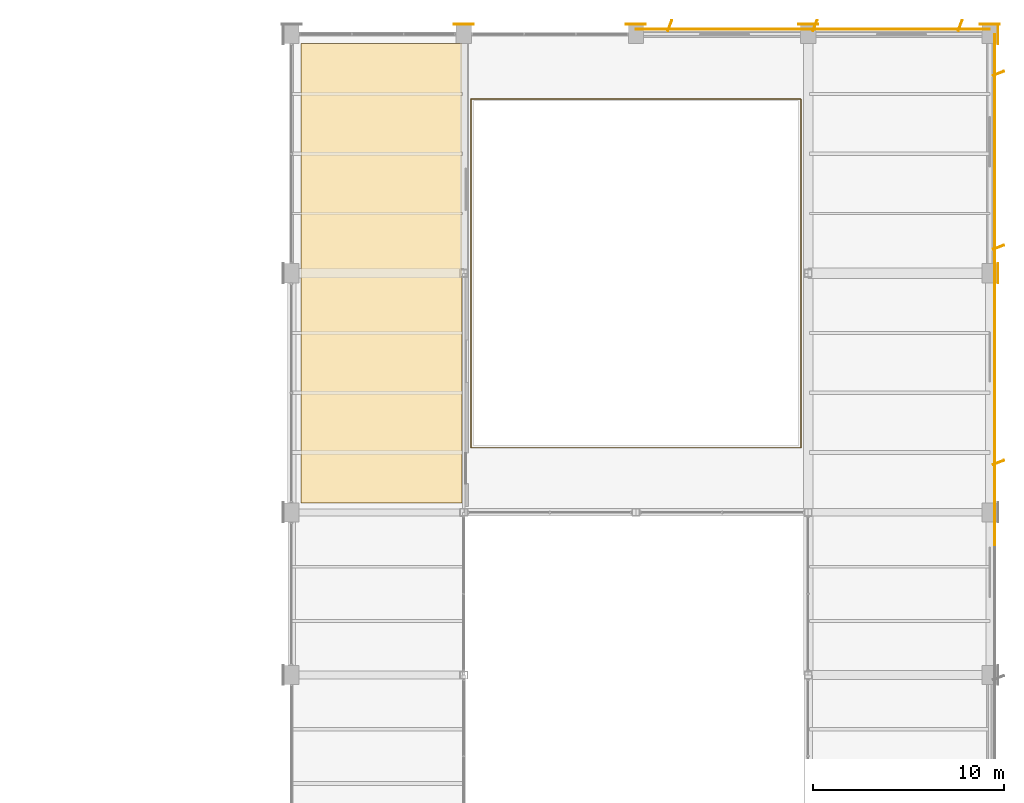
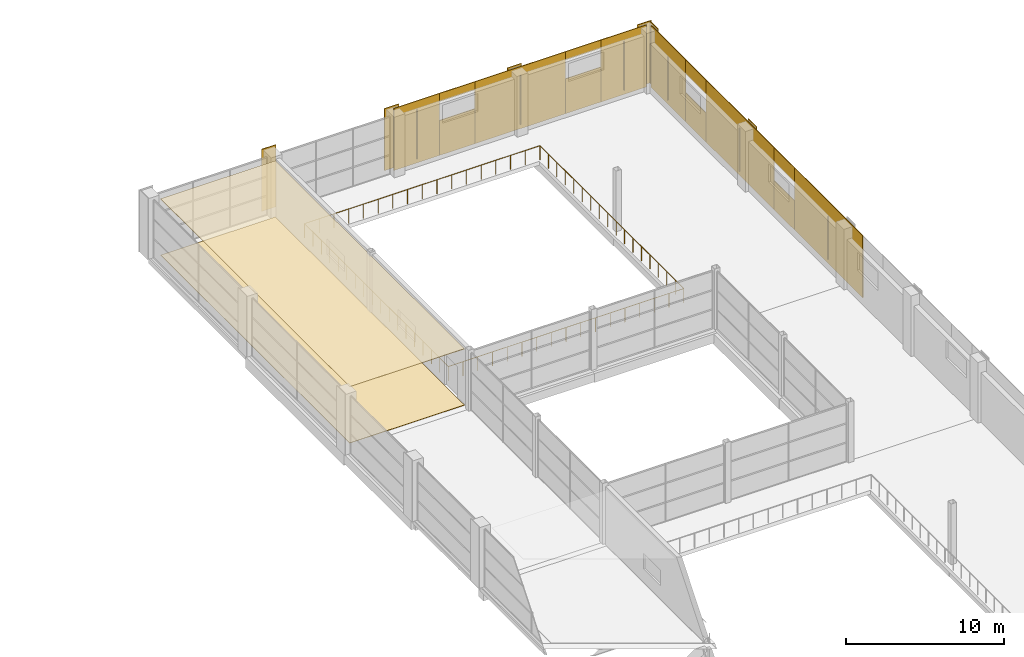
# One storey, part 112 of 112: 28 coverings, 1 railing.
"""IFC4 building model written with IfcOpenShell, lengths in metres."""

from ifc_helpers import new_model, si_unit, direction, frame, origin, origin_2d, place, context, subcontext, project, spatial, polyline, rectangle, circle, outline, extrude, material, layer, layer_set, type_object, element, save


model = new_model("IFC4")

# Units and contexts
model_context = context("Model", 3, precision=1e-05, world=origin(), true_north=direction((0.0, 1.0)))
body_context = subcontext(model_context, "Body", "Model", "MODEL_VIEW")
ifc_project = project(units=[si_unit("LENGTHUNIT", "METRE"), si_unit("AREAUNIT", "SQUARE_METRE"), si_unit("VOLUMEUNIT", "CUBIC_METRE"), si_unit("PLANEANGLEUNIT", "RADIAN"), si_unit("MASSUNIT", "GRAM", prefix="KILO")], contexts=[model_context])

# Site, building, storey
site_placement = place(None, origin())
site = spatial("IfcSite", under=ifc_project, at=site_placement, CompositionType="ELEMENT")
building_placement = place(site_placement, origin())
building = spatial("IfcBuilding", under=site, at=building_placement, Name="Solvikara Media Centre", CompositionType="ELEMENT")
storey_placement = place(building_placement, frame((0.0, 0.0, 5.39990234375)))
storey = spatial("IfcBuildingStorey", under=building, at=storey_placement, Name="L01", CompositionType="ELEMENT", Elevation=5.39990234375)

# Coverings
ifc_material_1 = material(Name="Perforated acoustic gypsum ceiling board")
ifc_layer_1 = layer(ifc_material_1, 0.0400390625)
ifc_layer_set_1 = layer_set([ifc_layer_1], Name="Perforated acoustic gypsum ceiling board")
covering_type_1 = type_object("IfcCoveringType", Name="CV-01", PredefinedType="CEILING", material=ifc_layer_set_1)
covering_1_placement = place(storey_placement, frame((0.0, 0.0, 4.35009765625)))
element("IfcCovering", 1, at=covering_1_placement, inside=storey, type_object=covering_type_1, Name="CLG-029", PredefinedType="CEILING", context=body_context, shape_type="SweptSolid", body=[
    extrude(outline(polyline([(128.0, 89.5), (136.39990234375, 89.5), (136.39990234375, 113.5), (128.0, 113.5), (128.0, 89.5)])), origin(), (0.0, 0.0, 1.0), 0.0400390625),
])
ifc_material_2 = material(Name="Polished terrazzo floor finish")
ifc_layer_2 = layer(ifc_material_2, 0.030029296875)
ifc_layer_set_2 = layer_set([ifc_layer_2], Name="Polished terrazzo floor finish")
covering_type_2 = type_object("IfcCoveringType", Name="CV-02", PredefinedType="FLOORING", material=ifc_layer_set_2)
covering_2_placement = place(storey_placement, origin())
element("IfcCovering", 2, at=covering_2_placement, inside=storey, type_object=covering_type_2, Name="FLR-029", PredefinedType="FLOORING", context=body_context, shape_type="SweptSolid", body=[
    extrude(outline(polyline([(128.0, 89.5), (136.39990234375, 89.5), (136.39990234375, 113.5), (128.0, 113.5), (128.0, 89.5)])), origin(), (0.0, 0.0, 1.0), 0.030029296875),
])
ifc_material_3 = material(Name="GFRC white mineral architectural rainscreen panel")
ifc_layer_3 = layer(ifc_material_3, 0.050048828125)
ifc_layer_set_3 = layer_set([ifc_layer_3], Name="GFRC white mineral architectural rainscreen panel")
covering_type_3 = type_object("IfcCoveringType", Name="CV-04", PredefinedType="CLADDING", material=ifc_layer_set_3)
for number, where, z_axis, x_axis, name in (
    (3, (136.5, 114.52490234375, 0.0), (0.0, 0.0, 1.0), (-1.0, 0.0, 0.0), "PIL-L01-282"),
    (4, (145.5, 114.52490234375, 0.0), (0.0, 0.0, 1.0), (-1.0, 0.0, 0.0), "PIL-L01-284"),
    (5, (154.5, 114.52490234375, 0.0), (0.0, 0.0, 1.0), (-1.0, 0.0, 0.0), "PIL-L01-286"),
    (6, (164.425048828125, 101.5, 0.0), (0.0, 0.0, 1.0), (0.0, 1.0, 0.0), "PIL-L01-296"),
    (7, (164.425048828125, 114.0, 0.0), (0.0, 0.0, 1.0), (0.0, 1.0, 0.0), "PIL-L01-299"),
    (8, (164.0, 114.52490234375, 0.0), (0.0, 0.0, 1.0), (-1.0, 0.0, 0.0), "PIL-L01-300"),
):
    element("IfcCovering", number, at=place(storey_placement, frame(where, z_axis=z_axis, x_axis=x_axis)), inside=storey, type_object=covering_type_3, Name=name, PredefinedType="CLADDING", context=body_context, shape_type="SweptSolid", body=[
        extrude(rectangle(XDim=1.0400390625, YDim=0.050048828125, at=origin_2d()), origin(), (0.0, 0.0, 1.0), 4.800048828125),
    ])
covering_3_placement = place(storey_placement, frame((164.2451171875, 91.5, 0.0), z_axis=(0.0, 0.0, 1.0), x_axis=(0.0, 1.0, 0.0)))
element("IfcCovering", 9, at=covering_3_placement, inside=storey, type_object=covering_type_3, Name="L01-V2E-CV-F09", PredefinedType="CLADDING", context=body_context, shape_type="SweptSolid", body=[
    extrude(rectangle(XDim=8.64990234375, YDim=0.050048828125, at=origin_2d()), origin(), (0.0, 0.0, 1.0), 4.800048828125),
])
covering_4_placement = place(storey_placement, frame((164.449951171875, 91.610107421875, 0.35009765625), z_axis=(0.0, 0.0, 1.0), x_axis=(0.930749810713, 0.3656566557, 0.0)))
element("IfcCovering", 10, at=covering_4_placement, inside=storey, type_object=covering_type_3, Name="L01-V2E-FIN-09", PredefinedType="CLADDING", context=body_context, shape_type="SweptSolid", body=[
    extrude(rectangle(XDim=0.60205078125, YDim=0.050048828125, at=origin_2d()), origin(), (0.0, 0.0, 1.0), 3.340087890625),
])
covering_5_placement = place(storey_placement, frame((164.2451171875, 97.125, 0.0), z_axis=(0.0, 0.0, 1.0), x_axis=(0.0, 1.0, 0.0)))
element("IfcCovering", 11, at=covering_5_placement, inside=storey, type_object=covering_type_3, Name="L01-V2E-CV-S10", PredefinedType="CLADDING", context=body_context, shape_type="SweptSolid", body=[
    extrude(rectangle(XDim=2.60009765625, YDim=0.050048828125, at=origin_2d()), origin(), (0.0, 0.0, 1.0), 2.25),
])
covering_6_placement = place(storey_placement, frame((164.2451171875, 97.125, 3.7099609375), z_axis=(0.0, 0.0, 1.0), x_axis=(0.0, 1.0, 0.0)))
element("IfcCovering", 12, at=covering_6_placement, inside=storey, type_object=covering_type_3, Name="L01-V2E-CV-H10", PredefinedType="CLADDING", context=body_context, shape_type="SweptSolid", body=[
    extrude(rectangle(XDim=2.60009765625, YDim=0.050048828125, at=origin_2d()), origin(), (0.0, 0.0, 1.0), 1.090087890625),
])
covering_7_placement = place(storey_placement, frame((164.2451171875, 102.75, 0.0), z_axis=(0.0, 0.0, 1.0), x_axis=(0.0, 1.0, 0.0)))
element("IfcCovering", 13, at=covering_7_placement, inside=storey, type_object=covering_type_3, Name="L01-V2E-CV-F11", PredefinedType="CLADDING", context=body_context, shape_type="SweptSolid", body=[
    extrude(rectangle(XDim=8.64990234375, YDim=0.050048828125, at=origin_2d()), origin(), (0.0, 0.0, 1.0), 4.800048828125),
])
covering_8_placement = place(storey_placement, frame((164.449951171875, 102.860107421875, 0.35009765625), z_axis=(0.0, 0.0, 1.0), x_axis=(0.930749810713, 0.3656566557, 0.0)))
element("IfcCovering", 14, at=covering_8_placement, inside=storey, type_object=covering_type_3, Name="L01-V2E-FIN-11", PredefinedType="CLADDING", context=body_context, shape_type="SweptSolid", body=[
    extrude(rectangle(XDim=0.60205078125, YDim=0.050048828125, at=origin_2d()), origin(), (0.0, 0.0, 1.0), 3.340087890625),
])
covering_9_placement = place(storey_placement, frame((164.2451171875, 108.375, 0.0), z_axis=(0.0, 0.0, 1.0), x_axis=(0.0, 1.0, 0.0)))
element("IfcCovering", 15, at=covering_9_placement, inside=storey, type_object=covering_type_3, Name="L01-V2E-CV-S12", PredefinedType="CLADDING", context=body_context, shape_type="SweptSolid", body=[
    extrude(rectangle(XDim=2.60009765625, YDim=0.050048828125, at=origin_2d()), origin(), (0.0, 0.0, 1.0), 2.25),
])
covering_10_placement = place(storey_placement, frame((164.2451171875, 108.375, 3.7099609375), z_axis=(0.0, 0.0, 1.0), x_axis=(0.0, 1.0, 0.0)))
element("IfcCovering", 16, at=covering_10_placement, inside=storey, type_object=covering_type_3, Name="L01-V2E-CV-H12", PredefinedType="CLADDING", context=body_context, shape_type="SweptSolid", body=[
    extrude(rectangle(XDim=2.60009765625, YDim=0.050048828125, at=origin_2d()), origin(), (0.0, 0.0, 1.0), 1.090087890625),
])
covering_11_placement = place(storey_placement, frame((164.2451171875, 111.837890625, 0.0), z_axis=(0.0, 0.0, 1.0), x_axis=(0.0, 1.0, 0.0)))
element("IfcCovering", 17, at=covering_11_placement, inside=storey, type_object=covering_type_3, Name="L01-V2E-CV-F13", PredefinedType="CLADDING", context=body_context, shape_type="SweptSolid", body=[
    extrude(rectangle(XDim=4.324951171875, YDim=0.050048828125, at=origin_2d()), origin(), (0.0, 0.0, 1.0), 4.800048828125),
])
covering_12_placement = place(storey_placement, frame((164.449951171875, 111.947998046875, 0.35009765625), z_axis=(0.0, 0.0, 1.0), x_axis=(0.930749810713, 0.3656566557, 0.0)))
element("IfcCovering", 18, at=covering_12_placement, inside=storey, type_object=covering_type_3, Name="L01-V2E-FIN-13", PredefinedType="CLADDING", context=body_context, shape_type="SweptSolid", body=[
    extrude(rectangle(XDim=0.60205078125, YDim=0.050048828125, at=origin_2d()), origin(), (0.0, 0.0, 1.0), 3.340087890625),
])
covering_13_placement = place(storey_placement, frame((147.162109375, 114.2451171875, 0.0), z_axis=(0.0, 0.0, 1.0), x_axis=(1.0, 0.0, 0.0)))
element("IfcCovering", 19, at=covering_13_placement, inside=storey, type_object=covering_type_3, Name="L01-V2N-CV-F01", PredefinedType="CLADDING", context=body_context, shape_type="SweptSolid", body=[
    extrude(rectangle(XDim=3.324951171875, YDim=0.050048828125, at=origin_2d()), origin(), (0.0, 0.0, 1.0), 4.800048828125),
])
covering_14_placement = place(storey_placement, frame((147.27197265625, 114.449951171875, 0.35009765625), z_axis=(0.0, 0.0, 1.0), x_axis=(0.3656566557, 0.930749810713, 0.0)))
element("IfcCovering", 20, at=covering_14_placement, inside=storey, type_object=covering_type_3, Name="L01-V2N-FIN-01", PredefinedType="CLADDING", context=body_context, shape_type="SweptSolid", body=[
    extrude(rectangle(XDim=0.60205078125, YDim=0.050048828125, at=origin_2d()), origin(), (0.0, 0.0, 1.0), 3.7900390625),
])
covering_15_placement = place(storey_placement, frame((150.125, 114.2451171875, 0.0), z_axis=(0.0, 0.0, 1.0), x_axis=(1.0, 0.0, 0.0)))
element("IfcCovering", 21, at=covering_15_placement, inside=storey, type_object=covering_type_3, Name="L01-V2N-CV-S02", PredefinedType="CLADDING", context=body_context, shape_type="SweptSolid", body=[
    extrude(rectangle(XDim=2.60009765625, YDim=0.050048828125, at=origin_2d()), origin(), (0.0, 0.0, 1.0), 2.699951171875),
])
covering_16_placement = place(storey_placement, frame((150.125, 114.2451171875, 4.16015625), z_axis=(0.0, 0.0, 1.0), x_axis=(1.0, 0.0, 0.0)))
element("IfcCovering", 22, at=covering_16_placement, inside=storey, type_object=covering_type_3, Name="L01-V2N-CV-H02", PredefinedType="CLADDING", context=body_context, shape_type="SweptSolid", body=[
    extrude(rectangle(XDim=2.60009765625, YDim=0.050048828125, at=origin_2d()), origin(), (0.0, 0.0, 1.0), 0.639892578125),
])
covering_17_placement = place(storey_placement, frame((154.75, 114.2451171875, 0.0), z_axis=(0.0, 0.0, 1.0), x_axis=(1.0, 0.0, 0.0)))
element("IfcCovering", 23, at=covering_17_placement, inside=storey, type_object=covering_type_3, Name="L01-V2N-CV-F03", PredefinedType="CLADDING", context=body_context, shape_type="SweptSolid", body=[
    extrude(rectangle(XDim=6.64990234375, YDim=0.050048828125, at=origin_2d()), origin(), (0.0, 0.0, 1.0), 4.800048828125),
])
covering_18_placement = place(storey_placement, frame((154.860107421875, 114.449951171875, 0.35009765625), z_axis=(0.0, 0.0, 1.0), x_axis=(0.3656566557, 0.930749810713, 0.0)))
element("IfcCovering", 24, at=covering_18_placement, inside=storey, type_object=covering_type_3, Name="L01-V2N-FIN-03", PredefinedType="CLADDING", context=body_context, shape_type="SweptSolid", body=[
    extrude(rectangle(XDim=0.60205078125, YDim=0.050048828125, at=origin_2d()), origin(), (0.0, 0.0, 1.0), 3.7900390625),
])
covering_19_placement = place(storey_placement, frame((159.375, 114.2451171875, 0.0), z_axis=(0.0, 0.0, 1.0), x_axis=(1.0, 0.0, 0.0)))
element("IfcCovering", 25, at=covering_19_placement, inside=storey, type_object=covering_type_3, Name="L01-V2N-CV-S04", PredefinedType="CLADDING", context=body_context, shape_type="SweptSolid", body=[
    extrude(rectangle(XDim=2.60009765625, YDim=0.050048828125, at=origin_2d()), origin(), (0.0, 0.0, 1.0), 2.699951171875),
])
covering_20_placement = place(storey_placement, frame((159.375, 114.2451171875, 4.16015625), z_axis=(0.0, 0.0, 1.0), x_axis=(1.0, 0.0, 0.0)))
element("IfcCovering", 26, at=covering_20_placement, inside=storey, type_object=covering_type_3, Name="L01-V2N-CV-H04", PredefinedType="CLADDING", context=body_context, shape_type="SweptSolid", body=[
    extrude(rectangle(XDim=2.60009765625, YDim=0.050048828125, at=origin_2d()), origin(), (0.0, 0.0, 1.0), 0.639892578125),
])
covering_21_placement = place(storey_placement, frame((162.337890625, 114.2451171875, 0.0), z_axis=(0.0, 0.0, 1.0), x_axis=(1.0, 0.0, 0.0)))
element("IfcCovering", 27, at=covering_21_placement, inside=storey, type_object=covering_type_3, Name="L01-V2N-CV-F05", PredefinedType="CLADDING", context=body_context, shape_type="SweptSolid", body=[
    extrude(rectangle(XDim=3.324951171875, YDim=0.050048828125, at=origin_2d()), origin(), (0.0, 0.0, 1.0), 4.800048828125),
])
covering_22_placement = place(storey_placement, frame((162.447998046875, 114.449951171875, 0.35009765625), z_axis=(0.0, 0.0, 1.0), x_axis=(0.3656566557, 0.930749810713, 0.0)))
element("IfcCovering", 28, at=covering_22_placement, inside=storey, type_object=covering_type_3, Name="L01-V2N-FIN-05", PredefinedType="CLADDING", context=body_context, shape_type="SweptSolid", body=[
    extrude(rectangle(XDim=0.60205078125, YDim=0.050048828125, at=origin_2d()), origin(), (0.0, 0.0, 1.0), 3.7900390625),
])

# Railing
ifc_material_4 = material(Name="Steel S355JR", Category="steel")
railing_type = type_object("IfcRailingType", Name="GR-02", PredefinedType="BALUSTRADE", material=ifc_material_4)
railing_placement = place(storey_placement, frame((136.8798828125, 92.3798828125, 0.0)))
element("IfcRailing", 29, at=railing_placement, inside=storey, type_object=railing_type, Name="GR-BSB-L01", PredefinedType="BALUSTRADE", context=body_context, shape_type="SweptSolid", body=[
    extrude(circle(Radius=0.02392578125, at=origin_2d()), frame((0.0, 0.0, 1.09619140625), z_axis=(1.0, 0.0, 0.0), x_axis=(0.0, 1.0, 0.0)), (0.0, 0.0, 1.0), 17.240234375),
    extrude(circle(Radius=0.02392578125, at=origin_2d()), frame((17.240234375, 0.0, 1.09619140625), z_axis=(0.0, 1.0, 0.0), x_axis=(-1.0, 0.0, 0.0)), (0.0, 0.0, 1.0), 18.240234375),
    extrude(circle(Radius=0.02392578125, at=origin_2d()), frame((17.240234375, 18.240234375, 1.09619140625), z_axis=(-1.0, 0.0, 0.0), x_axis=(0.0, -1.0, 0.0)), (0.0, 0.0, 1.0), 17.240234375),
    extrude(circle(Radius=0.02392578125, at=origin_2d()), frame((0.0, 18.240234375, 1.09619140625), z_axis=(0.0, -1.0, 0.0), x_axis=(1.0, 0.0, 0.0)), (0.0, 0.0, 1.0), 18.240234375),
    extrude(circle(Radius=0.02099609375, at=origin_2d()), origin(), (0.0, 0.0, 1.0), 1.072021484375),
    extrude(circle(Radius=0.02099609375, at=origin_2d()), frame((1.07763671875, 0.0, 0.0)), (0.0, 0.0, 1.0), 1.072021484375),
    extrude(circle(Radius=0.02099609375, at=origin_2d()), frame((2.155029296875, 0.0, 0.0)), (0.0, 0.0, 1.0), 1.072021484375),
    extrude(circle(Radius=0.02099609375, at=origin_2d()), frame((3.232421875, 0.0, 0.0)), (0.0, 0.0, 1.0), 1.072021484375),
    extrude(circle(Radius=0.02099609375, at=origin_2d()), frame((4.31005859375, 0.0, 0.0)), (0.0, 0.0, 1.0), 1.072021484375),
    extrude(circle(Radius=0.02099609375, at=origin_2d()), frame((5.3876953125, 0.0, 0.0)), (0.0, 0.0, 1.0), 1.072021484375),
    extrude(circle(Radius=0.02099609375, at=origin_2d()), frame((6.465087890625, 0.0, 0.0)), (0.0, 0.0, 1.0), 1.072021484375),
    extrude(circle(Radius=0.02099609375, at=origin_2d()), frame((7.54248046875, 0.0, 0.0)), (0.0, 0.0, 1.0), 1.072021484375),
    extrude(circle(Radius=0.02099609375, at=origin_2d()), frame((8.6201171875, 0.0, 0.0)), (0.0, 0.0, 1.0), 1.072021484375),
    extrude(circle(Radius=0.02099609375, at=origin_2d()), frame((9.69775390625, 0.0, 0.0)), (0.0, 0.0, 1.0), 1.072021484375),
    extrude(circle(Radius=0.02099609375, at=origin_2d()), frame((10.775146484375, 0.0, 0.0)), (0.0, 0.0, 1.0), 1.072021484375),
    extrude(circle(Radius=0.02099609375, at=origin_2d()), frame((11.8525390625, 0.0, 0.0)), (0.0, 0.0, 1.0), 1.072021484375),
    extrude(circle(Radius=0.02099609375, at=origin_2d()), frame((12.93017578125, 0.0, 0.0)), (0.0, 0.0, 1.0), 1.072021484375),
    extrude(circle(Radius=0.02099609375, at=origin_2d()), frame((14.0078125, 0.0, 0.0)), (0.0, 0.0, 1.0), 1.072021484375),
    extrude(circle(Radius=0.02099609375, at=origin_2d()), frame((15.085205078125, 0.0, 0.0)), (0.0, 0.0, 1.0), 1.072021484375),
    extrude(circle(Radius=0.02099609375, at=origin_2d()), frame((16.16259765625, 0.0, 0.0)), (0.0, 0.0, 1.0), 1.072021484375),
    extrude(circle(Radius=0.02099609375, at=origin_2d()), frame((17.240234375, 0.0, 0.0)), (0.0, 0.0, 1.0), 1.072021484375),
    extrude(circle(Radius=0.02099609375, at=origin_2d()), frame((17.240234375, 1.072998046875, 0.0)), (0.0, 0.0, 1.0), 1.072021484375),
    extrude(circle(Radius=0.02099609375, at=origin_2d()), frame((17.240234375, 2.14599609375, 0.0)), (0.0, 0.0, 1.0), 1.072021484375),
    extrude(circle(Radius=0.02099609375, at=origin_2d()), frame((17.240234375, 3.21875, 0.0)), (0.0, 0.0, 1.0), 1.072021484375),
    extrude(circle(Radius=0.02099609375, at=origin_2d()), frame((17.240234375, 4.291748046875, 0.0)), (0.0, 0.0, 1.0), 1.072021484375),
    extrude(circle(Radius=0.02099609375, at=origin_2d()), frame((17.240234375, 5.36474609375, 0.0)), (0.0, 0.0, 1.0), 1.072021484375),
    extrude(circle(Radius=0.02099609375, at=origin_2d()), frame((17.240234375, 6.437744140625, 0.0)), (0.0, 0.0, 1.0), 1.072021484375),
    extrude(circle(Radius=0.02099609375, at=origin_2d()), frame((17.240234375, 7.5107421875, 0.0)), (0.0, 0.0, 1.0), 1.072021484375),
    extrude(circle(Radius=0.02099609375, at=origin_2d()), frame((17.240234375, 8.583740234375, 0.0)), (0.0, 0.0, 1.0), 1.072021484375),
    extrude(circle(Radius=0.02099609375, at=origin_2d()), frame((17.240234375, 9.656494140625, 0.0)), (0.0, 0.0, 1.0), 1.072021484375),
    extrude(circle(Radius=0.02099609375, at=origin_2d()), frame((17.240234375, 10.7294921875, 0.0)), (0.0, 0.0, 1.0), 1.072021484375),
    extrude(circle(Radius=0.02099609375, at=origin_2d()), frame((17.240234375, 11.802490234375, 0.0)), (0.0, 0.0, 1.0), 1.072021484375),
    extrude(circle(Radius=0.02099609375, at=origin_2d()), frame((17.240234375, 12.87548828125, 0.0)), (0.0, 0.0, 1.0), 1.072021484375),
    extrude(circle(Radius=0.02099609375, at=origin_2d()), frame((17.240234375, 13.948486328125, 0.0)), (0.0, 0.0, 1.0), 1.072021484375),
    extrude(circle(Radius=0.02099609375, at=origin_2d()), frame((17.240234375, 15.021484375, 0.0)), (0.0, 0.0, 1.0), 1.072021484375),
    extrude(circle(Radius=0.02099609375, at=origin_2d()), frame((17.240234375, 16.09423828125, 0.0)), (0.0, 0.0, 1.0), 1.072021484375),
    extrude(circle(Radius=0.02099609375, at=origin_2d()), frame((17.240234375, 17.167236328125, 0.0)), (0.0, 0.0, 1.0), 1.072021484375),
    extrude(circle(Radius=0.02099609375, at=origin_2d()), frame((17.240234375, 18.240234375, 0.0)), (0.0, 0.0, 1.0), 1.072021484375),
    extrude(circle(Radius=0.02099609375, at=origin_2d()), frame((16.16259765625, 18.240234375, 0.0)), (0.0, 0.0, 1.0), 1.072021484375),
    extrude(circle(Radius=0.02099609375, at=origin_2d()), frame((15.085205078125, 18.240234375, 0.0)), (0.0, 0.0, 1.0), 1.072021484375),
    extrude(circle(Radius=0.02099609375, at=origin_2d()), frame((14.0078125, 18.240234375, 0.0)), (0.0, 0.0, 1.0), 1.072021484375),
    extrude(circle(Radius=0.02099609375, at=origin_2d()), frame((12.93017578125, 18.240234375, 0.0)), (0.0, 0.0, 1.0), 1.072021484375),
    extrude(circle(Radius=0.02099609375, at=origin_2d()), frame((11.8525390625, 18.240234375, 0.0)), (0.0, 0.0, 1.0), 1.072021484375),
    extrude(circle(Radius=0.02099609375, at=origin_2d()), frame((10.775146484375, 18.240234375, 0.0)), (0.0, 0.0, 1.0), 1.072021484375),
    extrude(circle(Radius=0.02099609375, at=origin_2d()), frame((9.69775390625, 18.240234375, 0.0)), (0.0, 0.0, 1.0), 1.072021484375),
    extrude(circle(Radius=0.02099609375, at=origin_2d()), frame((8.6201171875, 18.240234375, 0.0)), (0.0, 0.0, 1.0), 1.072021484375),
    extrude(circle(Radius=0.02099609375, at=origin_2d()), frame((7.54248046875, 18.240234375, 0.0)), (0.0, 0.0, 1.0), 1.072021484375),
    extrude(circle(Radius=0.02099609375, at=origin_2d()), frame((6.465087890625, 18.240234375, 0.0)), (0.0, 0.0, 1.0), 1.072021484375),
    extrude(circle(Radius=0.02099609375, at=origin_2d()), frame((5.3876953125, 18.240234375, 0.0)), (0.0, 0.0, 1.0), 1.072021484375),
    extrude(circle(Radius=0.02099609375, at=origin_2d()), frame((4.31005859375, 18.240234375, 0.0)), (0.0, 0.0, 1.0), 1.072021484375),
    extrude(circle(Radius=0.02099609375, at=origin_2d()), frame((3.232421875, 18.240234375, 0.0)), (0.0, 0.0, 1.0), 1.072021484375),
    extrude(circle(Radius=0.02099609375, at=origin_2d()), frame((2.155029296875, 18.240234375, 0.0)), (0.0, 0.0, 1.0), 1.072021484375),
    extrude(circle(Radius=0.02099609375, at=origin_2d()), frame((1.07763671875, 18.240234375, 0.0)), (0.0, 0.0, 1.0), 1.072021484375),
    extrude(circle(Radius=0.02099609375, at=origin_2d()), frame((0.0, 18.240234375, 0.0)), (0.0, 0.0, 1.0), 1.072021484375),
    extrude(circle(Radius=0.02099609375, at=origin_2d()), frame((0.0, 17.167236328125, 0.0)), (0.0, 0.0, 1.0), 1.072021484375),
    extrude(circle(Radius=0.02099609375, at=origin_2d()), frame((0.0, 16.09423828125, 0.0)), (0.0, 0.0, 1.0), 1.072021484375),
    extrude(circle(Radius=0.02099609375, at=origin_2d()), frame((0.0, 15.021484375, 0.0)), (0.0, 0.0, 1.0), 1.072021484375),
    extrude(circle(Radius=0.02099609375, at=origin_2d()), frame((0.0, 13.948486328125, 0.0)), (0.0, 0.0, 1.0), 1.072021484375),
    extrude(circle(Radius=0.02099609375, at=origin_2d()), frame((0.0, 12.87548828125, 0.0)), (0.0, 0.0, 1.0), 1.072021484375),
    extrude(circle(Radius=0.02099609375, at=origin_2d()), frame((0.0, 11.802490234375, 0.0)), (0.0, 0.0, 1.0), 1.072021484375),
    extrude(circle(Radius=0.02099609375, at=origin_2d()), frame((0.0, 10.7294921875, 0.0)), (0.0, 0.0, 1.0), 1.072021484375),
    extrude(circle(Radius=0.02099609375, at=origin_2d()), frame((0.0, 9.656494140625, 0.0)), (0.0, 0.0, 1.0), 1.072021484375),
    extrude(circle(Radius=0.02099609375, at=origin_2d()), frame((0.0, 8.583740234375, 0.0)), (0.0, 0.0, 1.0), 1.072021484375),
    extrude(circle(Radius=0.02099609375, at=origin_2d()), frame((0.0, 7.5107421875, 0.0)), (0.0, 0.0, 1.0), 1.072021484375),
    extrude(circle(Radius=0.02099609375, at=origin_2d()), frame((0.0, 6.437744140625, 0.0)), (0.0, 0.0, 1.0), 1.072021484375),
    extrude(circle(Radius=0.02099609375, at=origin_2d()), frame((0.0, 5.36474609375, 0.0)), (0.0, 0.0, 1.0), 1.072021484375),
    extrude(circle(Radius=0.02099609375, at=origin_2d()), frame((0.0, 4.291748046875, 0.0)), (0.0, 0.0, 1.0), 1.072021484375),
    extrude(circle(Radius=0.02099609375, at=origin_2d()), frame((0.0, 3.21875, 0.0)), (0.0, 0.0, 1.0), 1.072021484375),
    extrude(circle(Radius=0.02099609375, at=origin_2d()), frame((0.0, 2.14599609375, 0.0)), (0.0, 0.0, 1.0), 1.072021484375),
    extrude(circle(Radius=0.02099609375, at=origin_2d()), frame((0.0, 1.072998046875, 0.0)), (0.0, 0.0, 1.0), 1.072021484375),
])

save(model, "model.ifc")
